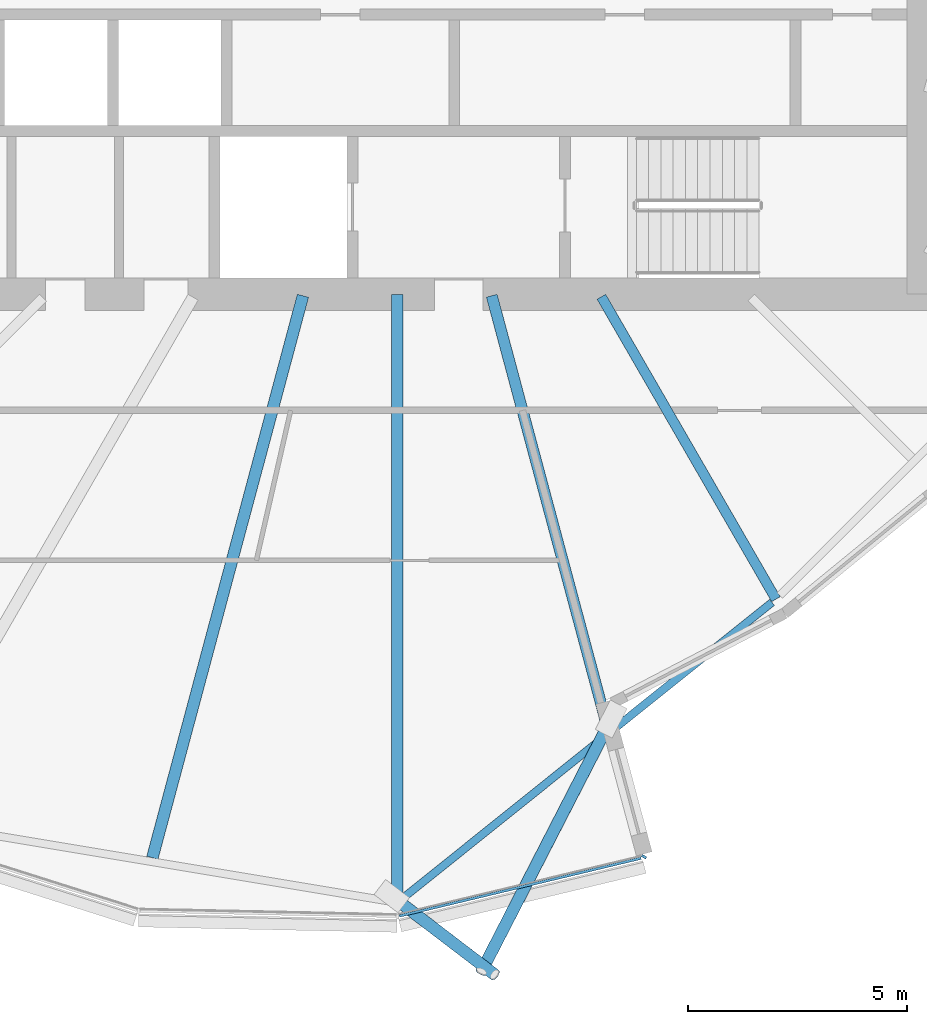
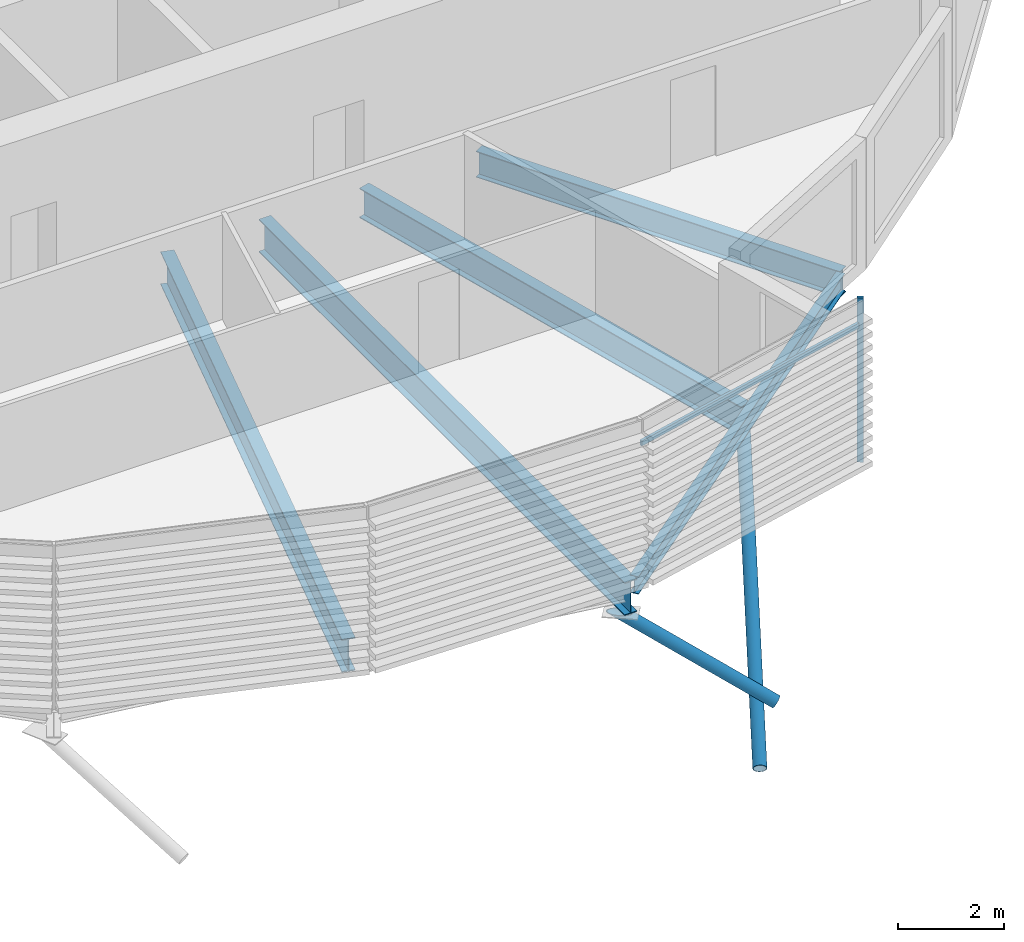
# One storey, part 12 of 39: 5 beams, 4 members, 1 element without a shape of its own.
"""IFC4 building model written with IfcOpenShell, lengths in metres."""

from ifc_helpers import new_model, si_unit, direction, frame, origin, origin_2d, place, context, subcontext, project, spatial, rectangle, hollow_circle, i_section, extrude, clip, halfspace, material, material_profile, profile_set, type_object, element, aggregate, save


model = new_model("IFC4")

# Units and contexts
model_context = context("Model", 3, precision=1e-05, world=origin(), true_north=direction((0.0, 1.0)))
body_context = subcontext(model_context, "Body", "Model", "MODEL_VIEW")
ifc_project = project(units=[si_unit("LENGTHUNIT", "METRE"), si_unit("AREAUNIT", "SQUARE_METRE"), si_unit("VOLUMEUNIT", "CUBIC_METRE"), si_unit("PLANEANGLEUNIT", "RADIAN"), si_unit("MASSUNIT", "GRAM", prefix="KILO")], contexts=[model_context])

# Site, building, storey
site_placement = place(None, origin())
site = spatial("IfcSite", under=ifc_project, at=site_placement, CompositionType="ELEMENT")
building_placement = place(site_placement, origin())
building = spatial("IfcBuilding", under=site, at=building_placement, Name="Rimbun Link Towers", CompositionType="ELEMENT")
storey_placement = place(building_placement, frame((0.0, 0.0, 100.60009765625)))
storey = spatial("IfcBuildingStorey", under=building, at=storey_placement, Name="L24", CompositionType="ELEMENT", Elevation=100.60009765625)

# Curtain wall, members
ifc_material_1 = material(Name="Aluminium 6063-T6 and low-iron glass", Category="aluminium")
curtain_wall_type = type_object("IfcCurtainWallType", Name="CW1-Z2 unitised vision wall (zone 2)", PredefinedType="NOTDEFINED", material=ifc_material_1)
curtain_wall_placement = place(storey_placement, origin())
curtain_wall = element("IfcCurtainWall", 1, at=curtain_wall_placement, inside=storey, type_object=curtain_wall_type, Name="CW1 L24 T2", PredefinedType="NOTDEFINED")
ifc_material_2 = material(Name="Aluminium 6063-T6", Category="aluminium")
ifc_material_profile_1 = material_profile(ifc_material_2, rectangle(XDim=0.1201171875, YDim=0.06005859375, at=origin_2d()), Name="MULLION 60X120")
ifc_profile_set_1 = profile_set([ifc_material_profile_1], Name="Aluminium 6063-T6")
member_type_1 = type_object("IfcMemberType", Name="CW1 mullion 60X120", PredefinedType="MULLION", material=ifc_profile_set_1)
member_1_placement = place(storey_placement, frame((37.3740234375, -20.826904296875, 0.0), z_axis=(0.0, 0.0, 1.0), x_axis=(0.859188553098, -0.511659095712, 0.0)))
member_1 = element("IfcMember", 2, at=member_1_placement, type_object=member_type_1, Name="CW1 mullion", PredefinedType="MULLION", context=body_context, shape_type="SweptSolid", body=[
    extrude(rectangle(XDim=0.1201171875, YDim=0.06005859375, at=origin_2d()), origin(), (0.0, 0.0, 1.0), 3.7998046875),
])
ifc_material_3 = material(Name="Aluminium 6063-T6", Category="aluminium")
ifc_material_profile_2 = material_profile(ifc_material_3, rectangle(XDim=0.06005859375, YDim=0.1201171875, at=origin_2d()), Name="TRANSOM 60X120")
ifc_profile_set_2 = profile_set([ifc_material_profile_2], Name="Aluminium 6063-T6")
member_type_2 = type_object("IfcMemberType", Name="CW1 transom 60X120", PredefinedType="USERDEFINED", material=ifc_profile_set_2)
member_2_placement = place(storey_placement, frame((37.306640625, -20.859619140625, 3.199951171875), z_axis=(-0.972566820521, -0.232623686715, 0.0), x_axis=(0.232623686715, -0.972566820521, 0.0)))
member_2 = element("IfcMember", 3, at=member_2_placement, type_object=member_type_2, Name="CW1 transom", ObjectType="TRANSOM", PredefinedType="USERDEFINED", context=body_context, shape_type="SweptSolid", body=[
    extrude(rectangle(XDim=0.06005859375, YDim=0.1201171875, at=origin_2d()), origin(), (0.0, 0.0, 1.0), 5.66943359375),
])
aggregate(curtain_wall, [member_1, member_2])

# Members
ifc_material_4 = material(Name="Steel S355J2H", Category="steel")
ifc_material_profile_3 = material_profile(ifc_material_4, hollow_circle(Radius=0.136474609375, WallThickness=0.012451171875, at=origin_2d()), Name="CHS 273x12.5")
ifc_profile_set_3 = profile_set([ifc_material_profile_3], Name="Steel S355J2H")
member_type_3 = type_object("IfcMemberType", Name="Floor edge link CHS 273x12.5", PredefinedType="BRACE", material=ifc_profile_set_3)
member_3_placement = place(storey_placement, frame((31.75, -21.822021484375, -1.0390625), z_axis=(0.679773423903, -0.518905889219, -0.518309531352), x_axis=(0.606770438468, 0.794877119435, 0.0)))
element("IfcMember", 4, at=member_3_placement, inside=storey, type_object=member_type_3, Name="Floor edge link T2 L24 15", PredefinedType="BRACE", context=body_context, shape_type="Clipping", body=[
    clip(extrude(hollow_circle(Radius=0.136474609375, WallThickness=0.012451171875, at=origin_2d()), frame((0.0, 0.0, -0.4697265625)), (0.0, 0.0, 1.0), 3.744873046875), halfspace(frame((0.0, 0.0, -0.221435546875), z_axis=(0.0, 0.855193094985, -0.518309531352)), False)),
])
member_4_placement = place(storey_placement, frame((36.536376953125, -17.863037109375, -0.966064453125), z_axis=(-0.406209681782, -0.789986373491, -0.459255075231), x_axis=(0.889319403398, -0.457286560856, 0.0)))
element("IfcMember", 5, at=member_4_placement, inside=storey, type_object=member_type_3, Name="Floor edge link T2 L24 16", PredefinedType="BRACE", context=body_context, shape_type="Clipping", body=[
    clip(extrude(hollow_circle(Radius=0.136474609375, WallThickness=0.012451171875, at=origin_2d()), frame((0.0, 0.0, -0.5498046875)), (0.0, 0.0, 1.0), 7.623779296875), halfspace(frame((0.0, 0.0, -0.26220703125), z_axis=(0.0, 0.888304438734, -0.459255075231)), False)),
])

# Beams
ifc_material_5 = material(Name="Steel S355J2", Category="steel")
ifc_material_profile_4 = material_profile(ifc_material_5, i_section(OverallWidth=0.177978515625, OverallDepth=0.406494140625, WebThickness=0.0078125, FlangeThickness=0.0126953125, at=origin_2d()), Name="UB 406x178x60")
ifc_profile_set_4 = profile_set([ifc_material_profile_4], Name="Steel S355J2")
beam_type_1 = type_object("IfcBeamType", Name="UB 406x178x60", PredefinedType="BEAM", material=ifc_profile_set_4)
beam_1_placement = place(storey_placement, frame((31.884033203125, -21.764404296875, -0.36328125), z_axis=(0.780406608882, 0.625272360507, 0.0), x_axis=(-0.625272360507, 0.780406608882, 0.0)))
element("IfcBeam", 6, at=beam_1_placement, inside=storey, type_object=beam_type_1, Name="Edge beam T2 L24 15-17", PredefinedType="BEAM", context=body_context, shape_type="SweptSolid", body=[
    extrude(i_section(OverallWidth=0.177978515625, OverallDepth=0.406494140625, WebThickness=0.0078125, FlangeThickness=0.0126953125, at=origin_2d()), origin(), (0.0, 0.0, 1.0), 10.775390625),
])
ifc_material_6 = material(Name="Steel S355J2", Category="steel")
ifc_material_profile_5 = material_profile(ifc_material_6, i_section(OverallWidth=0.2275390625, OverallDepth=0.6025390625, WebThickness=0.010498046875, FlangeThickness=0.014892578125, at=origin_2d()), Name="UB 610x229x101")
ifc_profile_set_5 = profile_set([ifc_material_profile_5], Name="Steel S355J2")
beam_type_2 = type_object("IfcBeamType", Name="UB 610x229x101", PredefinedType="BEAM", material=ifc_profile_set_5)
beam_2_placement = place(storey_placement, frame((36.402099609375, -8.057861328125, -0.46142578125), z_axis=(0.500013496215, -0.866017611601, 0.0), x_axis=(0.866017611601, 0.500013496215, 0.0)))
element("IfcBeam", 7, at=beam_2_placement, inside=storey, type_object=beam_type_2, Name="Radial beam T2 L24 17", PredefinedType="BEAM", context=body_context, shape_type="SweptSolid", body=[
    extrude(i_section(OverallWidth=0.2275390625, OverallDepth=0.6025390625, WebThickness=0.010498046875, FlangeThickness=0.014892578125, at=origin_2d()), origin(), (0.0, 0.0, 1.0), 7.963134765625),
])
ifc_material_7 = material(Name="Steel S355J2", Category="steel")
ifc_material_profile_6 = material_profile(ifc_material_7, i_section(OverallWidth=0.253662109375, OverallDepth=0.68359375, WebThickness=0.012451171875, FlangeThickness=0.01904296875, at=origin_2d()), Name="UB 686x254x140")
ifc_profile_set_6 = profile_set([ifc_material_profile_6], Name="Steel S355J2")
beam_type_3 = type_object("IfcBeamType", Name="UB 686x254x140", PredefinedType="BEAM", material=ifc_profile_set_6)
beam_3_placement = place(storey_placement, frame((33.902587890625, -8.03369140625, -0.501953125), z_axis=(0.258820016811, -0.96592556592, 0.0), x_axis=(0.96592556592, 0.258820016811, 0.0)))
element("IfcBeam", 8, at=beam_3_placement, inside=storey, type_object=beam_type_3, Name="Radial beam T2 L24 16", PredefinedType="BEAM", context=body_context, shape_type="SweptSolid", body=[
    extrude(i_section(OverallWidth=0.253662109375, OverallDepth=0.68359375, WebThickness=0.012451171875, FlangeThickness=0.01904296875, at=origin_2d()), origin(), (0.0, 0.0, 1.0), 10.22607421875),
])
ifc_material_8 = material(Name="Steel S355J2", Category="steel")
ifc_material_profile_7 = material_profile(ifc_material_8, i_section(OverallWidth=0.2666015625, OverallDepth=0.76220703125, WebThickness=0.014404296875, FlangeThickness=0.021484375, at=origin_2d()), Name="UB 762x267x173")
ifc_profile_set_7 = profile_set([ifc_material_profile_7], Name="Steel S355J2")
beam_type_4 = type_object("IfcBeamType", Name="UB 762x267x173", PredefinedType="BEAM", material=ifc_profile_set_7)
beam_4_placement = place(storey_placement, frame((29.596923828125, -8.035400390625, -0.541259765625), z_axis=(-0.258820400429, -0.965925463129, 0.0), x_axis=(0.965925463129, -0.258820400429, 0.0)))
element("IfcBeam", 9, at=beam_4_placement, inside=storey, type_object=beam_type_4, Name="Radial beam T2 L24 14", PredefinedType="BEAM", context=body_context, shape_type="SweptSolid", body=[
    extrude(i_section(OverallWidth=0.2666015625, OverallDepth=0.76220703125, WebThickness=0.014404296875, FlangeThickness=0.021484375, at=origin_2d()), origin(), (0.0, 0.0, 1.0), 13.267333984375),
])
beam_5_placement = place(storey_placement, frame((31.75, -8.0009765625, -0.541259765625), z_axis=(0.0, -1.0, 0.0), x_axis=(1.0, 0.0, 0.0)))
element("IfcBeam", 10, at=beam_5_placement, inside=storey, type_object=beam_type_4, Name="Radial beam T2 L24 15", PredefinedType="BEAM", context=body_context, shape_type="SweptSolid", body=[
    extrude(i_section(OverallWidth=0.2666015625, OverallDepth=0.76220703125, WebThickness=0.014404296875, FlangeThickness=0.021484375, at=origin_2d()), origin(), (0.0, 0.0, 1.0), 13.870849609375),
])

save(model, "model.ifc")
